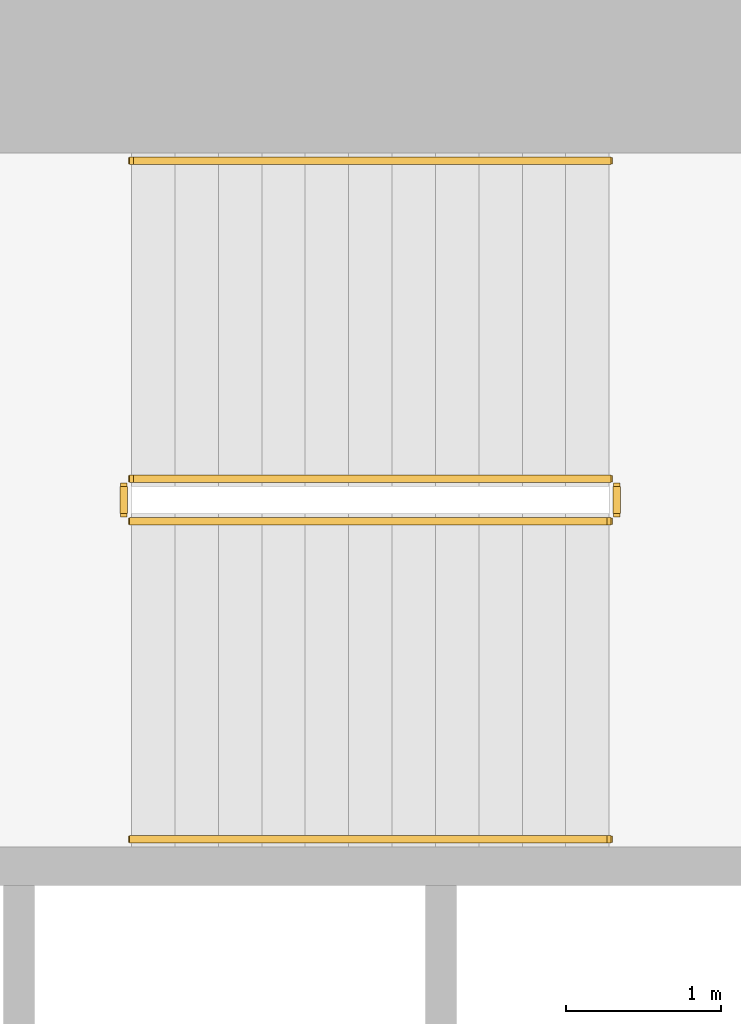
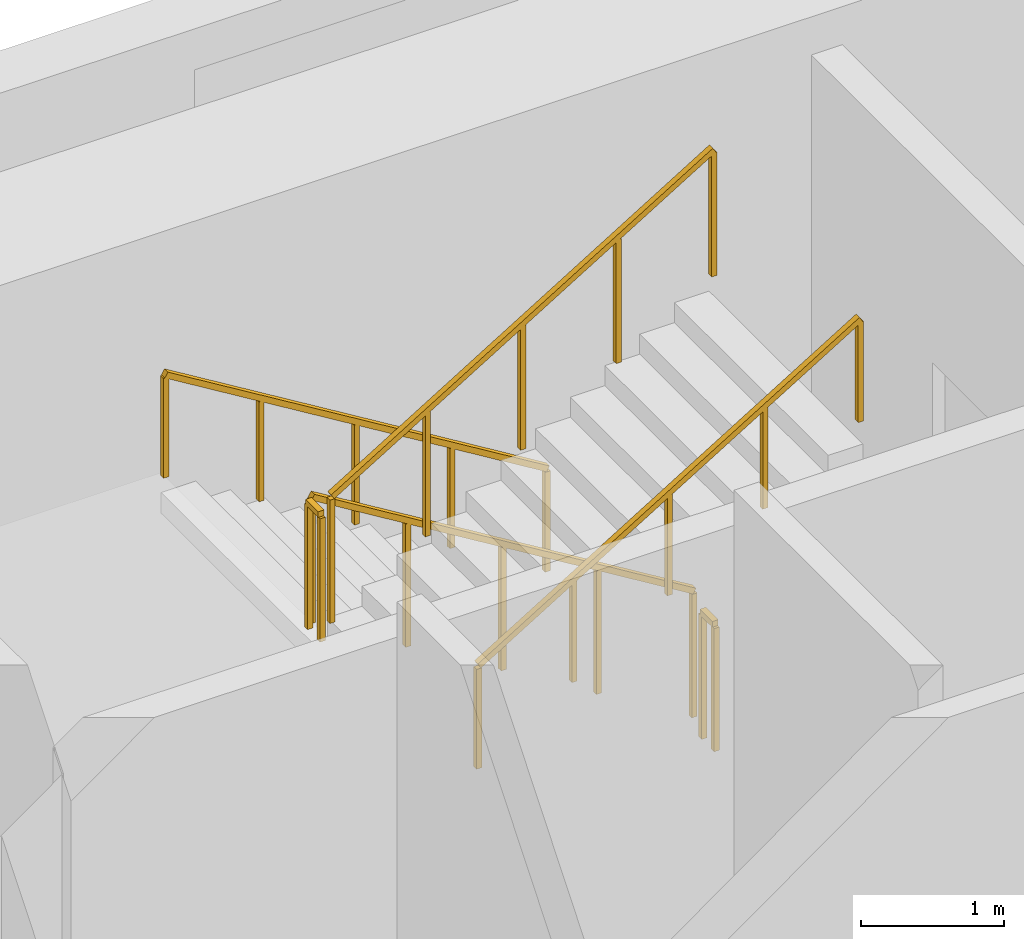
# One storey, part 17 of 18: 6 railings.
"""IFC4 building model written with IfcOpenShell, lengths in metres."""

from ifc_helpers import new_model, si_unit, direction, frame, origin, origin_2d, place, context, subcontext, project, spatial, rectangle, extrude, material, type_object, element, save


model = new_model("IFC4")

# Units and contexts
model_context = context("Model", 3, precision=1e-05, world=origin(), true_north=direction((0.0, 1.0)))
body_context = subcontext(model_context, "Body", "Model", "MODEL_VIEW")
ifc_project = project(units=[si_unit("LENGTHUNIT", "METRE"), si_unit("AREAUNIT", "SQUARE_METRE"), si_unit("VOLUMEUNIT", "CUBIC_METRE"), si_unit("PLANEANGLEUNIT", "RADIAN"), si_unit("MASSUNIT", "GRAM", prefix="KILO")], contexts=[model_context])

# Site, building, storey
site_placement = place(None, origin())
site = spatial("IfcSite", under=ifc_project, at=site_placement, CompositionType="ELEMENT")
building_placement = place(site_placement, origin())
building = spatial("IfcBuilding", under=site, at=building_placement, Name="Cypress Arch Tower", CompositionType="ELEMENT")
storey_placement = place(building_placement, frame((0.0, 0.0, 288.5)))
storey = spatial("IfcBuildingStorey", under=building, at=storey_placement, Name="L65", CompositionType="ELEMENT", Elevation=288.5)

# Railings
ifc_material_1 = material(Name="Black powder-coated steel square bar 48 mm", Category="steel")
railing_type_1 = type_object("IfcRailingType", Name="Stair handrail HR1", PredefinedType="HANDRAIL", material=ifc_material_1)
railing_1_placement = place(storey_placement, frame((-22.27490234375, 14.75, 0.1708984375)))
element("IfcRailing", 1, at=railing_1_placement, inside=storey, type_object=railing_type_1, Name="L65 B stair handrail 1", PredefinedType="HANDRAIL", context=body_context, shape_type="SweptSolid", body=[
    extrude(rectangle(XDim=0.048095703125, YDim=0.048095703125, at=origin_2d()), frame((0.0, 0.0, 0.8759765625), z_axis=(-0.853666305674, 0.0, 0.52082035152), x_axis=(0.0, -1.0, 0.0)), (0.0, 0.0, 1.0), 3.608154296875),
    extrude(rectangle(XDim=0.0419921875, YDim=0.0419921875, at=origin_2d()), origin(), (0.0, 0.0, 1.0), 0.851806640625),
    extrude(rectangle(XDim=0.0419921875, YDim=0.0419921875, at=origin_2d()), frame((-0.77001953125, 0.0, 0.4697265625)), (0.0, 0.0, 1.0), 0.851806640625),
    extrude(rectangle(XDim=0.0419921875, YDim=0.0419921875, at=origin_2d()), frame((-1.5400390625, 0.0, 0.939453125)), (0.0, 0.0, 1.0), 0.851806640625),
    extrude(rectangle(XDim=0.0419921875, YDim=0.0419921875, at=origin_2d()), frame((-2.31005859375, 0.0, 1.409423828125)), (0.0, 0.0, 1.0), 0.851806640625),
    extrude(rectangle(XDim=0.0419921875, YDim=0.0419921875, at=origin_2d()), frame((-3.080078125, 0.0, 1.879150390625)), (0.0, 0.0, 1.0), 0.851806640625),
])
railing_2_placement = place(storey_placement, frame((-25.35498046875, 10.375, 2.220947265625)))
element("IfcRailing", 2, at=railing_2_placement, inside=storey, type_object=railing_type_1, Name="L65 B stair handrail 2", PredefinedType="HANDRAIL", context=body_context, shape_type="SweptSolid", body=[
    extrude(rectangle(XDim=0.048095703125, YDim=0.048095703125, at=origin_2d()), frame((0.0, 0.0, 0.8759765625), z_axis=(0.853666305674, 0.0, 0.52082035152), x_axis=(0.0, 1.0, 0.0)), (0.0, 0.0, 1.0), 3.608154296875),
    extrude(rectangle(XDim=0.0419921875, YDim=0.0419921875, at=origin_2d()), origin(), (0.0, 0.0, 1.0), 0.851806640625),
    extrude(rectangle(XDim=0.0419921875, YDim=0.0419921875, at=origin_2d()), frame((0.77001953125, 0.0, 0.4697265625)), (0.0, 0.0, 1.0), 0.851806640625),
    extrude(rectangle(XDim=0.0419921875, YDim=0.0419921875, at=origin_2d()), frame((1.5400390625, 0.0, 0.939453125)), (0.0, 0.0, 1.0), 0.851806640625),
    extrude(rectangle(XDim=0.0419921875, YDim=0.0419921875, at=origin_2d()), frame((2.31005859375, 0.0, 1.409423828125)), (0.0, 0.0, 1.0), 0.851806640625),
    extrude(rectangle(XDim=0.0419921875, YDim=0.0419921875, at=origin_2d()), frame((3.080078125, 0.0, 1.879150390625)), (0.0, 0.0, 1.0), 0.851806640625),
])
ifc_material_2 = material(Name="Black powder-coated steel balusters", Category="steel")
railing_type_2 = type_object("IfcRailingType", Name="Stair well guard G1", PredefinedType="GUARDRAIL", material=ifc_material_2)
railing_3_placement = place(storey_placement, frame((-22.27490234375, 12.699951171875, 0.1708984375)))
element("IfcRailing", 3, at=railing_3_placement, inside=storey, type_object=railing_type_2, Name="L65 B stair guard 1", PredefinedType="GUARDRAIL", context=body_context, shape_type="SweptSolid", body=[
    extrude(rectangle(XDim=0.048095703125, YDim=0.048095703125, at=origin_2d()), frame((0.0, 0.0, 1.076171875), z_axis=(-0.853666305674, 0.0, 0.52082035152), x_axis=(0.0, -1.0, 0.0)), (0.0, 0.0, 1.0), 3.608154296875),
    extrude(rectangle(XDim=0.0419921875, YDim=0.0419921875, at=origin_2d()), origin(), (0.0, 0.0, 1.0), 1.052001953125),
    extrude(rectangle(XDim=0.0419921875, YDim=0.0419921875, at=origin_2d()), frame((-0.77001953125, 0.0, 0.4697265625)), (0.0, 0.0, 1.0), 1.052001953125),
    extrude(rectangle(XDim=0.0419921875, YDim=0.0419921875, at=origin_2d()), frame((-1.5400390625, 0.0, 0.939453125)), (0.0, 0.0, 1.0), 1.052001953125),
    extrude(rectangle(XDim=0.0419921875, YDim=0.0419921875, at=origin_2d()), frame((-2.31005859375, 0.0, 1.409423828125)), (0.0, 0.0, 1.0), 1.052001953125),
    extrude(rectangle(XDim=0.0419921875, YDim=0.0419921875, at=origin_2d()), frame((-3.080078125, 0.0, 1.879150390625)), (0.0, 0.0, 1.0), 1.052001953125),
])
railing_4_placement = place(storey_placement, frame((-25.405029296875, 12.64990234375, 2.050048828125)))
element("IfcRailing", 4, at=railing_4_placement, inside=storey, type_object=railing_type_2, Name="L65 B stair guard 2", PredefinedType="GUARDRAIL", context=body_context, shape_type="SweptSolid", body=[
    extrude(rectangle(XDim=0.048095703125, YDim=0.048095703125, at=origin_2d()), frame((0.0, 0.0, 1.076171875), z_axis=(0.0, -1.0, 0.0), x_axis=(1.0, 0.0, 0.0)), (0.0, 0.0, 1.0), 0.1748046875),
    extrude(rectangle(XDim=0.0419921875, YDim=0.0419921875, at=origin_2d()), origin(), (0.0, 0.0, 1.0), 1.052001953125),
    extrude(rectangle(XDim=0.0419921875, YDim=0.0419921875, at=origin_2d()), frame((0.0, -0.1748046875, 0.0)), (0.0, 0.0, 1.0), 1.052001953125),
])
railing_5_placement = place(storey_placement, frame((-25.35498046875, 12.425048828125, 2.220947265625)))
element("IfcRailing", 5, at=railing_5_placement, inside=storey, type_object=railing_type_2, Name="L65 B stair guard 3", PredefinedType="GUARDRAIL", context=body_context, shape_type="SweptSolid", body=[
    extrude(rectangle(XDim=0.048095703125, YDim=0.048095703125, at=origin_2d()), frame((0.0, 0.0, 1.076171875), z_axis=(0.853666305674, 0.0, 0.52082035152), x_axis=(0.0, 1.0, 0.0)), (0.0, 0.0, 1.0), 3.608154296875),
    extrude(rectangle(XDim=0.0419921875, YDim=0.0419921875, at=origin_2d()), origin(), (0.0, 0.0, 1.0), 1.052001953125),
    extrude(rectangle(XDim=0.0419921875, YDim=0.0419921875, at=origin_2d()), frame((0.77001953125, 0.0, 0.4697265625)), (0.0, 0.0, 1.0), 1.052001953125),
    extrude(rectangle(XDim=0.0419921875, YDim=0.0419921875, at=origin_2d()), frame((1.5400390625, 0.0, 0.939453125)), (0.0, 0.0, 1.0), 1.052001953125),
    extrude(rectangle(XDim=0.0419921875, YDim=0.0419921875, at=origin_2d()), frame((2.31005859375, 0.0, 1.409423828125)), (0.0, 0.0, 1.0), 1.052001953125),
    extrude(rectangle(XDim=0.0419921875, YDim=0.0419921875, at=origin_2d()), frame((3.080078125, 0.0, 1.879150390625)), (0.0, 0.0, 1.0), 1.052001953125),
])
railing_6_placement = place(storey_placement, frame((-22.22509765625, 12.64990234375, 0.0)))
element("IfcRailing", 6, at=railing_6_placement, inside=storey, type_object=railing_type_2, Name="L65 B stair guard 4", PredefinedType="GUARDRAIL", context=body_context, shape_type="SweptSolid", body=[
    extrude(rectangle(XDim=0.048095703125, YDim=0.048095703125, at=origin_2d()), frame((0.0, 0.0, 1.076171875), z_axis=(0.0, -1.0, 0.0), x_axis=(1.0, 0.0, 0.0)), (0.0, 0.0, 1.0), 0.1748046875),
    extrude(rectangle(XDim=0.0419921875, YDim=0.0419921875, at=origin_2d()), origin(), (0.0, 0.0, 1.0), 1.052001953125),
    extrude(rectangle(XDim=0.0419921875, YDim=0.0419921875, at=origin_2d()), frame((0.0, -0.1748046875, 0.0)), (0.0, 0.0, 1.0), 1.052001953125),
])

save(model, "model.ifc")
